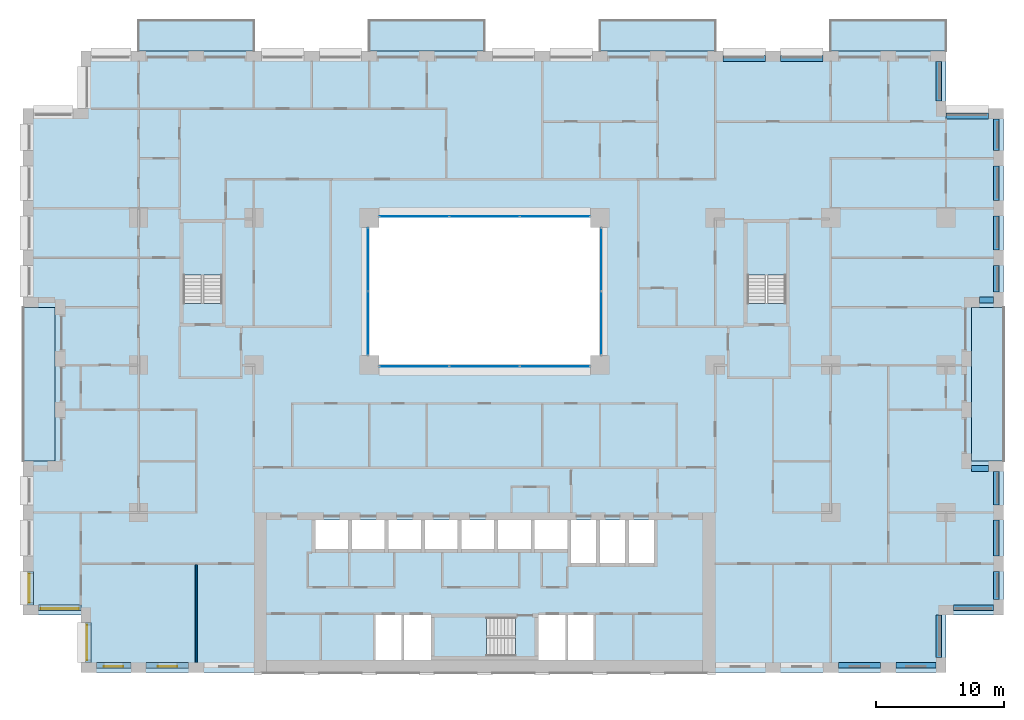
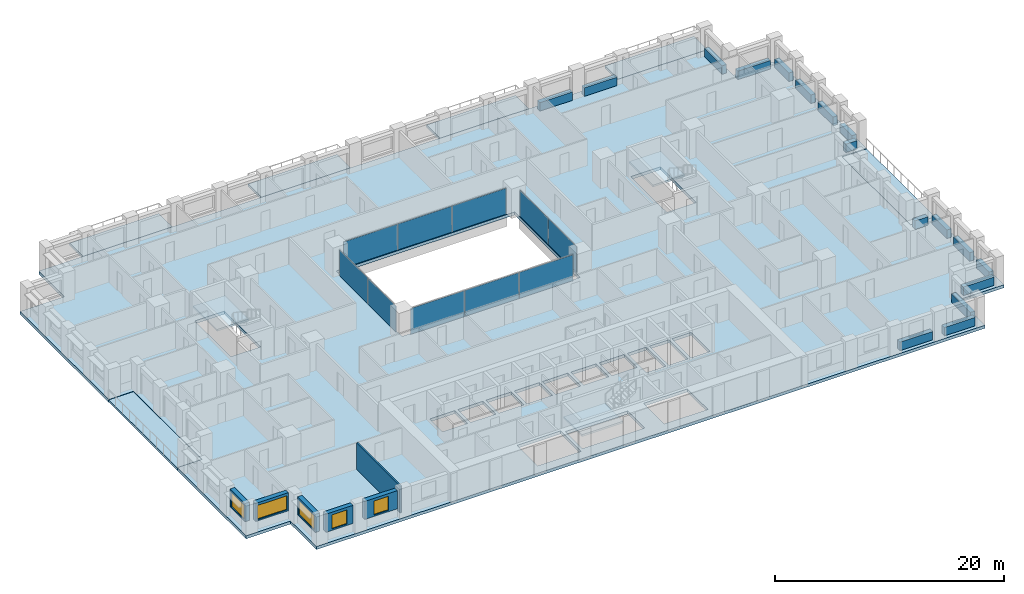
# One storey, part 8 of 20: 17 beams, 10 plates, 10 slabs, 6 walls, 5 windows, 5 openings, 7 elements without a shape of their own.
"""IFC4 building model written with IfcOpenShell, lengths in metres."""

from ifc_helpers import new_model, si_unit, direction, frame, frame_2d, origin, origin_2d, place, context, subcontext, project, spatial, polyline, rectangle, outline, extrude, material, layer, layer_set, material_profile, profile_set, type_object, element, fill, aggregate, save


model = new_model("IFC4")

# Units and contexts
model_context = context("Model", 3, precision=1e-05, world=origin(), true_north=direction((0.0, 1.0)))
body_context = subcontext(model_context, "Body", "Model", "MODEL_VIEW")
ifc_project = project(units=[si_unit("LENGTHUNIT", "METRE"), si_unit("AREAUNIT", "SQUARE_METRE"), si_unit("VOLUMEUNIT", "CUBIC_METRE"), si_unit("PLANEANGLEUNIT", "RADIAN"), si_unit("MASSUNIT", "GRAM", prefix="KILO")], contexts=[model_context])

# Site, building, storey
site_placement = place(None, origin())
site = spatial("IfcSite", under=ifc_project, at=site_placement, CompositionType="ELEMENT")
building_placement = place(site_placement, origin())
building = spatial("IfcBuilding", under=site, at=building_placement, Name="Brigalow Station Residences", CompositionType="ELEMENT")
storey_placement = place(building_placement, frame((0.0, 0.0, 38.39990234375)))
storey = spatial("IfcBuildingStorey", under=building, at=storey_placement, Name="L10", CompositionType="ELEMENT", Elevation=38.39990234375)

# Beams
ifc_material_1 = material(Name="Concrete C65", Category="concrete")
ifc_material_profile = material_profile(ifc_material_1, rectangle(XDim=0.449951171875, YDim=0.89990234375, at=origin_2d()), Name="RC450x900")
ifc_profile_set = profile_set([ifc_material_profile], Name="Concrete C65")
beam_type = type_object("IfcBeamType", Name="SPANDREL BEAM 450x900 C65", PredefinedType="SPANDREL", material=ifc_profile_set)
beam_1_placement = place(storey_placement, frame((63.60009765625, 0.574951171875, 0.4501953125), z_axis=(1.0, 0.0, 0.0), x_axis=(0.0, 1.0, 0.0)))
element("IfcBeam", 1, at=beam_1_placement, inside=storey, type_object=beam_type, Name="L10/spandrel/W-L10-7", PredefinedType="SPANDREL", context=body_context, shape_type="SweptSolid", body=[
    extrude(rectangle(XDim=0.449951171875, YDim=0.89990234375, at=origin_2d()), origin(), (0.0, 0.0, 1.0), 3.2998046875),
])
beam_2_placement = place(storey_placement, frame((68.10009765625, 0.574951171875, 0.4501953125), z_axis=(1.0, 0.0, 0.0), x_axis=(0.0, 1.0, 0.0)))
element("IfcBeam", 2, at=beam_2_placement, inside=storey, type_object=beam_type, Name="L10/spandrel/W-L10-8", PredefinedType="SPANDREL", context=body_context, shape_type="SweptSolid", body=[
    extrude(rectangle(XDim=0.449951171875, YDim=0.89990234375, at=origin_2d()), origin(), (0.0, 0.0, 1.0), 3.099853515625),
])
beam_3_placement = place(storey_placement, frame((71.425048828125, 1.199951171875, 0.4501953125), z_axis=(0.0, 1.0, 0.0), x_axis=(-1.0, 0.0, 0.0)))
element("IfcBeam", 3, at=beam_3_placement, inside=storey, type_object=beam_type, Name="L10/spandrel/W-L10-9", PredefinedType="SPANDREL", context=body_context, shape_type="SweptSolid", body=[
    extrude(rectangle(XDim=0.449951171875, YDim=0.89990234375, at=origin_2d()), origin(), (0.0, 0.0, 1.0), 3.300048828125),
])
beam_4_placement = place(storey_placement, frame((72.60009765625, 5.074951171875, 0.4501953125), z_axis=(1.0, 0.0, 0.0), x_axis=(0.0, 1.0, 0.0)))
element("IfcBeam", 4, at=beam_4_placement, inside=storey, type_object=beam_type, Name="L10/spandrel/W-L10-10", PredefinedType="SPANDREL", context=body_context, shape_type="SweptSolid", body=[
    extrude(rectangle(XDim=0.449951171875, YDim=0.89990234375, at=origin_2d()), origin(), (0.0, 0.0, 1.0), 3.099853515625),
])
beam_5_placement = place(storey_placement, frame((75.925048828125, 5.699951171875, 0.4501953125), z_axis=(0.0, 1.0, 0.0), x_axis=(-1.0, 0.0, 0.0)))
element("IfcBeam", 5, at=beam_5_placement, inside=storey, type_object=beam_type, Name="L10/spandrel/W-L10-11", PredefinedType="SPANDREL", context=body_context, shape_type="SweptSolid", body=[
    extrude(rectangle(XDim=0.449951171875, YDim=0.89990234375, at=origin_2d()), origin(), (0.0, 0.0, 1.0), 2.199951171875),
])
beam_6_placement = place(storey_placement, frame((75.925048828125, 9.10009765625, 0.4501953125), z_axis=(0.0, 1.0, 0.0), x_axis=(-1.0, 0.0, 0.0)))
element("IfcBeam", 6, at=beam_6_placement, inside=storey, type_object=beam_type, Name="L10/spandrel/W-L10-12", PredefinedType="SPANDREL", context=body_context, shape_type="SweptSolid", body=[
    extrude(rectangle(XDim=0.449951171875, YDim=0.89990234375, at=origin_2d()), origin(), (0.0, 0.0, 1.0), 2.7998046875),
])
beam_7_placement = place(storey_placement, frame((75.925048828125, 13.10009765625, 0.4501953125), z_axis=(0.0, 1.0, 0.0), x_axis=(-1.0, 0.0, 0.0)))
element("IfcBeam", 7, at=beam_7_placement, inside=storey, type_object=beam_type, Name="L10/spandrel/W-L10-13", PredefinedType="SPANDREL", context=body_context, shape_type="SweptSolid", body=[
    extrude(rectangle(XDim=0.449951171875, YDim=0.89990234375, at=origin_2d()), origin(), (0.0, 0.0, 1.0), 2.599853515625),
])
beam_8_placement = place(storey_placement, frame((75.300048828125, 15.925048828125, 0.4501953125), z_axis=(-1.0, 0.0, 0.0), x_axis=(0.0, -1.0, 0.0)))
element("IfcBeam", 8, at=beam_8_placement, inside=storey, type_object=beam_type, Name="L10/spandrel/W-L10-14", PredefinedType="SPANDREL", context=body_context, shape_type="SweptSolid", body=[
    extrude(rectangle(XDim=0.449951171875, YDim=0.89990234375, at=origin_2d()), origin(), (0.0, 0.0, 1.0), 1.300048828125),
])
beam_9_placement = place(storey_placement, frame((74.60009765625, 29.074951171875, 0.4501953125), z_axis=(1.0, 0.0, 0.0), x_axis=(0.0, 1.0, 0.0)))
element("IfcBeam", 9, at=beam_9_placement, inside=storey, type_object=beam_type, Name="L10/spandrel/W-L10-18", PredefinedType="SPANDREL", context=body_context, shape_type="SweptSolid", body=[
    extrude(rectangle(XDim=0.449951171875, YDim=0.89990234375, at=origin_2d()), origin(), (0.0, 0.0, 1.0), 1.099853515625),
])
beam_10_placement = place(storey_placement, frame((75.925048828125, 29.699951171875, 0.4501953125), z_axis=(0.0, 1.0, 0.0), x_axis=(-1.0, 0.0, 0.0)))
element("IfcBeam", 10, at=beam_10_placement, inside=storey, type_object=beam_type, Name="L10/spandrel/W-L10-19", PredefinedType="SPANDREL", context=body_context, shape_type="SweptSolid", body=[
    extrude(rectangle(XDim=0.449951171875, YDim=0.89990234375, at=origin_2d()), origin(), (0.0, 0.0, 1.0), 2.074951171875),
])
for number, where, z_axis, x_axis, name in (
    (11, (75.925048828125, 32.97509765625, 0.4501953125), (0.0, 1.0, 0.0), (-1.0, 0.0, 0.0), "L10/spandrel/W-L10-20"),
    (12, (75.925048828125, 36.85009765625, 0.4501953125), (0.0, 1.0, 0.0), (-1.0, 0.0, 0.0), "L10/spandrel/W-L10-21"),
):
    element("IfcBeam", number, at=place(storey_placement, frame(where, z_axis=z_axis, x_axis=x_axis)), inside=storey, type_object=beam_type, Name=name, PredefinedType="SPANDREL", context=body_context, shape_type="SweptSolid", body=[
        extrude(rectangle(XDim=0.449951171875, YDim=0.89990234375, at=origin_2d()), origin(), (0.0, 0.0, 1.0), 2.6748046875),
    ])
beam_11_placement = place(storey_placement, frame((75.925048828125, 40.72509765625, 0.4501953125), z_axis=(0.0, 1.0, 0.0), x_axis=(-1.0, 0.0, 0.0)))
element("IfcBeam", 13, at=beam_11_placement, inside=storey, type_object=beam_type, Name="L10/spandrel/W-L10-22", PredefinedType="SPANDREL", context=body_context, shape_type="SweptSolid", body=[
    extrude(rectangle(XDim=0.449951171875, YDim=0.89990234375, at=origin_2d()), origin(), (0.0, 0.0, 1.0), 2.474853515625),
])
beam_12_placement = place(storey_placement, frame((75.300048828125, 43.425048828125, 0.4501953125), z_axis=(-1.0, 0.0, 0.0), x_axis=(0.0, -1.0, 0.0)))
element("IfcBeam", 14, at=beam_12_placement, inside=storey, type_object=beam_type, Name="L10/spandrel/W-L10-23", PredefinedType="SPANDREL", context=body_context, shape_type="SweptSolid", body=[
    extrude(rectangle(XDim=0.449951171875, YDim=0.89990234375, at=origin_2d()), origin(), (0.0, 0.0, 1.0), 3.300048828125),
])
beam_13_placement = place(storey_placement, frame((71.425048828125, 44.60009765625, 0.4501953125), z_axis=(0.0, 1.0, 0.0), x_axis=(-1.0, 0.0, 0.0)))
element("IfcBeam", 15, at=beam_13_placement, inside=storey, type_object=beam_type, Name="L10/spandrel/W-L10-24", PredefinedType="SPANDREL", context=body_context, shape_type="SweptSolid", body=[
    extrude(rectangle(XDim=0.449951171875, YDim=0.89990234375, at=origin_2d()), origin(), (0.0, 0.0, 1.0), 3.099853515625),
])
for number, where, z_axis, x_axis, name in (
    (16, (62.39990234375, 47.925048828125, 0.4501953125), (-1.0, 0.0, 0.0), (0.0, -1.0, 0.0), "L10/spandrel/W-L10-27"),
    (17, (57.89990234375, 47.925048828125, 0.4501953125), (-1.0, 0.0, 0.0), (0.0, -1.0, 0.0), "L10/spandrel/W-L10-28"),
):
    element("IfcBeam", number, at=place(storey_placement, frame(where, z_axis=z_axis, x_axis=x_axis)), inside=storey, type_object=beam_type, Name=name, PredefinedType="SPANDREL", context=body_context, shape_type="SweptSolid", body=[
        extrude(rectangle(XDim=0.449951171875, YDim=0.89990234375, at=origin_2d()), origin(), (0.0, 0.0, 1.0), 3.2998046875),
    ])

# Curtain wall, plates
ifc_material_2 = material(Name="Aluminium", Category="aluminium")
ifc_layer_1 = layer(ifc_material_2, 0.14990234375)
ifc_layer_set_1 = layer_set([ifc_layer_1], Name="ATRIUM FIRE-RATED GLAZING CURTAIN WALL")
curtain_wall_type = type_object("IfcCurtainWallType", Name="ATRIUM FIRE-RATED GLAZING CURTAIN WALL", PredefinedType="NOTDEFINED", material=ifc_layer_set_1)
curtain_wall_1_placement = place(storey_placement, origin())
curtain_wall_1 = element("IfcCurtainWall", 18, at=curtain_wall_1_placement, inside=storey, type_object=curtain_wall_type, Name="L10/cw/atrium-S", PredefinedType="NOTDEFINED")
ifc_material_3 = material(Name="Fire-resisting laminated glazing, FRL -/60/-", Category="glass")
ifc_layer_2 = layer(ifc_material_3, 0.031982421875)
ifc_layer_set_2 = layer_set([ifc_layer_2], Name="ATRIUM FIRE-RATED GLAZING PANEL 32")
plate_type = type_object("IfcPlateType", Name="ATRIUM FIRE-RATED GLAZING PANEL 32", PredefinedType="CURTAIN_PANEL", material=ifc_layer_set_2)
plate_1_placement = place(storey_placement, frame((30.514892578125, 23.89990234375, 0.0), z_axis=(0.0, 0.0, 1.0), x_axis=(1.0, 0.0, 0.0)))
plate_1 = element("IfcPlate", 19, at=plate_1_placement, type_object=plate_type, Name="L10/cw/atrium-S/P00-00", PredefinedType="CURTAIN_PANEL", context=body_context, shape_type="SweptSolid", body=[
    extrude(rectangle(XDim=5.409912109375, YDim=0.031982421875, at=origin_2d()), origin(), (0.0, 0.0, 1.0), 2.77001953125),
])
plate_2_placement = place(storey_placement, frame((36.0, 23.89990234375, 0.0), z_axis=(0.0, 0.0, 1.0), x_axis=(1.0, 0.0, 0.0)))
plate_2 = element("IfcPlate", 20, at=plate_2_placement, type_object=plate_type, Name="L10/cw/atrium-S/P01-00", PredefinedType="CURTAIN_PANEL", context=body_context, shape_type="SweptSolid", body=[
    extrude(rectangle(XDim=5.43994140625, YDim=0.031982421875, at=origin_2d()), origin(), (0.0, 0.0, 1.0), 2.77001953125),
])
plate_3_placement = place(storey_placement, frame((41.485107421875, 23.89990234375, 0.0), z_axis=(0.0, 0.0, 1.0), x_axis=(1.0, 0.0, 0.0)))
plate_3 = element("IfcPlate", 21, at=plate_3_placement, type_object=plate_type, Name="L10/cw/atrium-S/P02-00", PredefinedType="CURTAIN_PANEL", context=body_context, shape_type="SweptSolid", body=[
    extrude(rectangle(XDim=5.409912109375, YDim=0.031982421875, at=origin_2d()), origin(), (0.0, 0.0, 1.0), 2.77001953125),
])
aggregate(curtain_wall_1, [plate_1, plate_2, plate_3])

curtain_wall_2_placement = place(storey_placement, origin())
curtain_wall_2 = element("IfcCurtainWall", 22, at=curtain_wall_2_placement, inside=storey, type_object=curtain_wall_type, Name="L10/cw/atrium-E", PredefinedType="NOTDEFINED")
plate_4_placement = place(storey_placement, frame((45.10009765625, 27.264892578125, 0.0), z_axis=(0.0, 0.0, 1.0), x_axis=(0.0, 1.0, 0.0)))
plate_4 = element("IfcPlate", 23, at=plate_4_placement, type_object=plate_type, Name="L10/cw/atrium-E/P00-00", PredefinedType="CURTAIN_PANEL", context=body_context, shape_type="SweptSolid", body=[
    extrude(rectangle(XDim=4.909912109375, YDim=0.031982421875, at=origin_2d()), origin(), (0.0, 0.0, 1.0), 2.77001953125),
])
plate_5_placement = place(storey_placement, frame((45.10009765625, 32.235107421875, 0.0), z_axis=(0.0, 0.0, 1.0), x_axis=(0.0, 1.0, 0.0)))
plate_5 = element("IfcPlate", 24, at=plate_5_placement, type_object=plate_type, Name="L10/cw/atrium-E/P01-00", PredefinedType="CURTAIN_PANEL", context=body_context, shape_type="SweptSolid", body=[
    extrude(rectangle(XDim=4.909912109375, YDim=0.031982421875, at=origin_2d()), origin(), (0.0, 0.0, 1.0), 2.77001953125),
])
aggregate(curtain_wall_2, [plate_4, plate_5])

curtain_wall_3_placement = place(storey_placement, origin())
curtain_wall_3 = element("IfcCurtainWall", 25, at=curtain_wall_3_placement, inside=storey, type_object=curtain_wall_type, Name="L10/cw/atrium-N", PredefinedType="NOTDEFINED")
plate_6_placement = place(storey_placement, frame((41.485107421875, 35.60009765625, 0.0), z_axis=(0.0, 0.0, 1.0), x_axis=(-1.0, 0.0, 0.0)))
plate_6 = element("IfcPlate", 26, at=plate_6_placement, type_object=plate_type, Name="L10/cw/atrium-N/P00-00", PredefinedType="CURTAIN_PANEL", context=body_context, shape_type="SweptSolid", body=[
    extrude(rectangle(XDim=5.409912109375, YDim=0.031982421875, at=origin_2d()), origin(), (0.0, 0.0, 1.0), 2.77001953125),
])
plate_7_placement = place(storey_placement, frame((36.0, 35.60009765625, 0.0), z_axis=(0.0, 0.0, 1.0), x_axis=(-1.0, 0.0, 0.0)))
plate_7 = element("IfcPlate", 27, at=plate_7_placement, type_object=plate_type, Name="L10/cw/atrium-N/P01-00", PredefinedType="CURTAIN_PANEL", context=body_context, shape_type="SweptSolid", body=[
    extrude(rectangle(XDim=5.43994140625, YDim=0.031982421875, at=origin_2d()), origin(), (0.0, 0.0, 1.0), 2.77001953125),
])
plate_8_placement = place(storey_placement, frame((30.514892578125, 35.60009765625, 0.0), z_axis=(0.0, 0.0, 1.0), x_axis=(-1.0, 0.0, 0.0)))
plate_8 = element("IfcPlate", 28, at=plate_8_placement, type_object=plate_type, Name="L10/cw/atrium-N/P02-00", PredefinedType="CURTAIN_PANEL", context=body_context, shape_type="SweptSolid", body=[
    extrude(rectangle(XDim=5.409912109375, YDim=0.031982421875, at=origin_2d()), origin(), (0.0, 0.0, 1.0), 2.77001953125),
])
aggregate(curtain_wall_3, [plate_6, plate_7, plate_8])

curtain_wall_4_placement = place(storey_placement, origin())
curtain_wall_4 = element("IfcCurtainWall", 29, at=curtain_wall_4_placement, inside=storey, type_object=curtain_wall_type, Name="L10/cw/atrium-W", PredefinedType="NOTDEFINED")
plate_9_placement = place(storey_placement, frame((26.89990234375, 32.235107421875, 0.0), z_axis=(0.0, 0.0, 1.0), x_axis=(0.0, -1.0, 0.0)))
plate_9 = element("IfcPlate", 30, at=plate_9_placement, type_object=plate_type, Name="L10/cw/atrium-W/P00-00", PredefinedType="CURTAIN_PANEL", context=body_context, shape_type="SweptSolid", body=[
    extrude(rectangle(XDim=4.909912109375, YDim=0.031982421875, at=origin_2d()), origin(), (0.0, 0.0, 1.0), 2.77001953125),
])
plate_10_placement = place(storey_placement, frame((26.89990234375, 27.264892578125, 0.0), z_axis=(0.0, 0.0, 1.0), x_axis=(0.0, -1.0, 0.0)))
plate_10 = element("IfcPlate", 31, at=plate_10_placement, type_object=plate_type, Name="L10/cw/atrium-W/P01-00", PredefinedType="CURTAIN_PANEL", context=body_context, shape_type="SweptSolid", body=[
    extrude(rectangle(XDim=4.909912109375, YDim=0.031982421875, at=origin_2d()), origin(), (0.0, 0.0, 1.0), 2.77001953125),
])
aggregate(curtain_wall_4, [plate_9, plate_10])

# Slabs
ifc_material_4 = material(Name="Concrete C50 precast", Category="concrete")
ifc_layer_3 = layer(ifc_material_4, 0.25)
ifc_layer_set_3 = layer_set([ifc_layer_3], Name="BALCONY SLAB 250")
slab_type_1 = type_object("IfcSlabType", Name="BALCONY SLAB 250", PredefinedType="USERDEFINED", material=ifc_layer_set_3)
slab_1_placement = place(storey_placement, frame((0.0, 0.0, -0.289794921875)))
element("IfcSlab", 32, at=slab_1_placement, inside=storey, type_object=slab_type_1, Name="L10/balcony/1", ObjectType="BALCONY", PredefinedType="USERDEFINED", context=body_context, shape_type="SweptSolid", body=[
    extrude(outline(polyline([(74.0, 16.5), (76.5, 16.5), (76.5, 28.5), (74.0, 28.5), (74.0, 16.5)])), origin(), (0.0, 0.0, 1.0), 0.25),
])
slab_2_placement = place(storey_placement, frame((0.0, 0.0, -0.289794921875)))
element("IfcSlab", 33, at=slab_2_placement, inside=storey, type_object=slab_type_1, Name="L10/balcony/2", ObjectType="BALCONY", PredefinedType="USERDEFINED", context=body_context, shape_type="SweptSolid", body=[
    extrude(outline(polyline([(72.0, 48.5), (72.0, 50.89990234375), (63.0, 50.89990234375), (63.0, 48.5), (72.0, 48.5)])), origin(), (0.0, 0.0, 1.0), 0.25),
])
slab_3_placement = place(storey_placement, frame((0.0, 0.0, -0.289794921875)))
element("IfcSlab", 34, at=slab_3_placement, inside=storey, type_object=slab_type_1, Name="L10/balcony/3", ObjectType="BALCONY", PredefinedType="USERDEFINED", context=body_context, shape_type="SweptSolid", body=[
    extrude(outline(polyline([(54.0, 48.5), (54.0, 50.89990234375), (45.0, 50.89990234375), (45.0, 48.5), (54.0, 48.5)])), origin(), (0.0, 0.0, 1.0), 0.25),
])
slab_4_placement = place(storey_placement, frame((0.0, 0.0, -0.289794921875)))
element("IfcSlab", 35, at=slab_4_placement, inside=storey, type_object=slab_type_1, Name="L10/balcony/4", ObjectType="BALCONY", PredefinedType="USERDEFINED", context=body_context, shape_type="SweptSolid", body=[
    extrude(outline(polyline([(36.0, 48.5), (36.0, 50.89990234375), (27.0, 50.89990234375), (27.0, 48.5), (36.0, 48.5)])), origin(), (0.0, 0.0, 1.0), 0.25),
])
slab_5_placement = place(storey_placement, frame((0.0, 0.0, -0.289794921875)))
element("IfcSlab", 36, at=slab_5_placement, inside=storey, type_object=slab_type_1, Name="L10/balcony/5", ObjectType="BALCONY", PredefinedType="USERDEFINED", context=body_context, shape_type="SweptSolid", body=[
    extrude(outline(polyline([(18.0, 48.5), (18.0, 50.89990234375), (9.0, 50.89990234375), (9.0, 48.5), (18.0, 48.5)])), origin(), (0.0, 0.0, 1.0), 0.25),
])
slab_6_placement = place(storey_placement, frame((0.0, 0.0, -0.289794921875)))
element("IfcSlab", 37, at=slab_6_placement, inside=storey, type_object=slab_type_1, Name="L10/balcony/6", ObjectType="BALCONY", PredefinedType="USERDEFINED", context=body_context, shape_type="SweptSolid", body=[
    extrude(outline(polyline([(2.5, 28.5), (0.0, 28.5), (0.0, 16.5), (2.5, 16.5), (2.5, 28.5)])), origin(), (0.0, 0.0, 1.0), 0.25),
])
ifc_material_5 = material(Name="Concrete C50", Category="concrete")
ifc_layer_4 = layer(ifc_material_5, 0.320068359375)
ifc_layer_set_4 = layer_set([ifc_layer_4], Name="POST-TENSIONED FLAT PLATE 320 C50")
slab_type_2 = type_object("IfcSlabType", Name="POST-TENSIONED FLAT PLATE 320 C50", PredefinedType="FLOOR", material=ifc_layer_set_4)
slab_7_placement = place(storey_placement, frame((0.0, 0.0, -0.31982421875)))
element("IfcSlab", 38, at=slab_7_placement, inside=storey, type_object=slab_type_2, Name="FLOOR SLAB L10", PredefinedType="FLOOR", context=body_context, shape_type="SweptSolid", body=[
    extrude(outline(polyline([(4.5, 0.0), (72.0, 0.0), (72.0, 4.5), (76.5, 4.5), (76.5, 16.5), (74.0, 16.5), (74.0, 28.5), (76.5, 28.5), (76.5, 44.0), (72.0, 44.0), (72.0, 48.5), (4.5, 48.5), (4.5, 44.0), (0.0, 44.0), (0.0, 28.5), (2.5, 28.5), (2.5, 16.5), (0.0, 16.5), (0.0, 4.5), (4.5, 4.5), (4.5, 0.0)]), holes=[polyline([(15.4951171875, 35.094970703125), (15.4951171875, 28.804931640625), (12.5048828125, 28.804931640625), (12.5048828125, 35.094970703125), (15.4951171875, 35.094970703125)]), polyline([(22.800048828125, 11.89990234375), (25.35009765625, 11.89990234375), (25.35009765625, 9.64990234375), (22.800048828125, 9.64990234375), (22.800048828125, 11.89990234375)]), polyline([(25.64990234375, 11.89990234375), (28.199951171875, 11.89990234375), (28.199951171875, 9.64990234375), (25.64990234375, 9.64990234375), (25.64990234375, 11.89990234375)]), polyline([(28.5, 11.89990234375), (31.050048828125, 11.89990234375), (31.050048828125, 9.64990234375), (28.5, 9.64990234375), (28.5, 11.89990234375)]), polyline([(29.60009765625, 1.0), (27.39990234375, 1.0), (27.39990234375, 4.60009765625), (29.60009765625, 4.60009765625), (31.800048828125, 4.60009765625), (31.800048828125, 1.0), (29.60009765625, 1.0)]), polyline([(31.35009765625, 11.89990234375), (33.89990234375, 11.89990234375), (33.89990234375, 9.64990234375), (31.35009765625, 9.64990234375), (31.35009765625, 11.89990234375)]), polyline([(32.10498046875, 4.294921875), (38.39501953125, 4.294921875), (38.39501953125, 1.304931640625), (32.10498046875, 1.304931640625), (32.10498046875, 4.294921875)]), polyline([(36.75, 11.89990234375), (36.75, 9.64990234375), (34.199951171875, 9.64990234375), (34.199951171875, 11.89990234375), (36.75, 11.89990234375)]), polyline([(37.050048828125, 11.89990234375), (39.60009765625, 11.89990234375), (39.60009765625, 9.64990234375), (37.050048828125, 9.64990234375), (37.050048828125, 11.89990234375)]), polyline([(39.89990234375, 11.89990234375), (42.449951171875, 11.89990234375), (42.449951171875, 9.64990234375), (39.89990234375, 9.64990234375), (39.89990234375, 11.89990234375)]), polyline([(42.39990234375, 1.0), (40.199951171875, 1.0), (40.199951171875, 4.60009765625), (42.39990234375, 4.60009765625), (44.60009765625, 4.60009765625), (44.60009765625, 1.0), (42.39990234375, 1.0)]), polyline([(42.75, 11.89990234375), (44.699951171875, 11.89990234375), (44.699951171875, 8.550048828125), (42.75, 8.550048828125), (42.75, 11.89990234375)]), polyline([(45.0, 11.89990234375), (46.949951171875, 11.89990234375), (46.949951171875, 8.550048828125), (45.0, 8.550048828125), (45.0, 11.89990234375)]), polyline([(45.0, 35.5), (45.0, 24.0), (27.0, 24.0), (27.0, 35.5), (45.0, 35.5)]), polyline([(47.25, 11.89990234375), (49.199951171875, 11.89990234375), (49.199951171875, 8.550048828125), (47.25, 8.550048828125), (47.25, 11.89990234375)]), polyline([(59.4951171875, 35.094970703125), (59.4951171875, 28.804931640625), (56.5048828125, 28.804931640625), (56.5048828125, 35.094970703125), (59.4951171875, 35.094970703125)])]), origin(), (0.0, 0.0, 1.0), 0.31982421875),
])

# Stair, slab
ifc_material_6 = material(Name="Concrete C50", Category="concrete")
stair_type = type_object("IfcStairType", Name="EXIT STAIR 1400 2 FLIGHT", PredefinedType="HALF_TURN_STAIR", material=ifc_material_6)
stair_1_placement = place(storey_placement, origin())
stair_1 = element("IfcStair", 39, at=stair_1_placement, inside=storey, type_object=stair_type, Name="EXIT STAIR S2 L10", PredefinedType="HALF_TURN_STAIR")
ifc_material_7 = material(Name="Concrete C50", Category="concrete")
ifc_layer_5 = layer(ifc_material_7, 0.199951171875)
ifc_layer_set_5 = layer_set([ifc_layer_5], Name="STAIR LANDING 200")
slab_type_3 = type_object("IfcSlabType", Name="STAIR LANDING 200", PredefinedType="LANDING", material=ifc_layer_set_5)
slab_8_placement = place(storey_placement, frame((0.0, 0.0, 1.375)))
slab_8 = element("IfcSlab", 40, at=slab_8_placement, type_object=slab_type_3, Name="ST-2 landing 1", PredefinedType="LANDING", context=body_context, shape_type="SweptSolid", body=[
    extrude(outline(polyline([(32.0, 1.199951171875), (36.159912109375, 1.199951171875), (36.159912109375, 4.39990234375), (32.0, 4.39990234375), (32.0, 1.199951171875)])), origin(), (0.0, 0.0, 1.0), 0.2001953125),
])
aggregate(stair_1, [slab_8])

stair_2_placement = place(storey_placement, origin())
stair_2 = element("IfcStair", 41, at=stair_2_placement, inside=storey, type_object=stair_type, Name="EXIT STAIR S1 L10", PredefinedType="HALF_TURN_STAIR")
slab_9_placement = place(storey_placement, frame((0.0, 0.0, 1.375)))
slab_9 = element("IfcSlab", 42, at=slab_9_placement, type_object=slab_type_3, Name="ST-1 landing 1", PredefinedType="LANDING", context=body_context, shape_type="SweptSolid", body=[
    extrude(outline(polyline([(12.39990234375, 31.0400390625), (15.60009765625, 31.0400390625), (15.60009765625, 35.199951171875), (12.39990234375, 35.199951171875), (12.39990234375, 31.0400390625)])), origin(), (0.0, 0.0, 1.0), 0.2001953125),
])
aggregate(stair_2, [slab_9])

stair_3_placement = place(storey_placement, origin())
stair_3 = element("IfcStair", 43, at=stair_3_placement, inside=storey, type_object=stair_type, Name="EXIT STAIR S3 L10", PredefinedType="HALF_TURN_STAIR")
slab_10_placement = place(storey_placement, frame((0.0, 0.0, 1.375)))
slab_10 = element("IfcSlab", 44, at=slab_10_placement, type_object=slab_type_3, Name="ST-3 landing 1", PredefinedType="LANDING", context=body_context, shape_type="SweptSolid", body=[
    extrude(outline(polyline([(56.39990234375, 31.0400390625), (59.60009765625, 31.0400390625), (59.60009765625, 35.199951171875), (56.39990234375, 35.199951171875), (56.39990234375, 31.0400390625)])), origin(), (0.0, 0.0, 1.0), 0.2001953125),
])
aggregate(stair_3, [slab_10])

# Wall, opening, window
ifc_material_8 = material(Name="Clay brick masonry", Category="masonry")
ifc_layer_6 = layer(ifc_material_8, 0.449951171875)
ifc_layer_set_6 = layer_set([ifc_layer_6], Name="BRICK INFILL WALL 450")
wall_type_1 = type_object("IfcWallType", Name="BRICK INFILL WALL 450", PredefinedType="SOLIDWALL", material=ifc_layer_set_6)
wall_1_placement = place(storey_placement, frame((5.699951171875, 0.574951171875, 0.900146484375), z_axis=(0.0, 0.0, 1.0), x_axis=(1.0, 0.0, 0.0)))
wall_1 = element("IfcWall", 45, at=wall_1_placement, inside=storey, type_object=wall_type_1, Name="L10/ewall/W-L10-1", PredefinedType="SOLIDWALL", context=body_context, shape_type="SweptSolid", body=[
    extrude(rectangle(XDim=2.699951171875, YDim=0.449951171875, at=frame_2d((1.35009765625, 0.0))), origin(), (0.0, 0.0, 1.0), 1.929931640625),
])
opening_1_placement = place(wall_1_placement, frame((0.60009765625, 0.0, 0.14990234375)))
opening_1 = element("IfcOpeningElement", 46, at=opening_1_placement, cuts=wall_1, Name="Opening WT-1", PredefinedType="OPENING", context=body_context, shape_type="SweptSolid", body=[
    extrude(rectangle(XDim=1.5, YDim=1.5, at=frame_2d((0.75, 0.75))), frame((0.0, 0.23486328125, 0.0), z_axis=(0.0, -1.0, 0.0), x_axis=(1.0, 0.0, 0.0)), (0.0, 0.0, 1.0), 0.469970703125),
])
ifc_material_9 = material(Name="Anodised aluminium frame with double glazing", Category="aluminium")
window_type_1 = type_object("IfcWindowType", Name="WINDOW 1500x1500", PartitioningType="SINGLE_PANEL", PredefinedType="WINDOW", material=ifc_material_9)
window_1_placement = place(opening_1_placement, origin())
window_1 = element("IfcWindow", 47, at=window_1_placement, inside=storey, type_object=window_type_1, Name="L10/window/W-L10-1", OverallHeight=1.5, OverallWidth=1.5, PartitioningType="SINGLE_PANEL", PredefinedType="WINDOW", context=body_context, shape_type="SweptSolid", body=[
    extrude(rectangle(XDim=1.5, YDim=1.5, at=frame_2d((0.75, 0.75))), frame((0.0, -0.06494140625, 0.0), z_axis=(0.0, -1.0, 0.0), x_axis=(1.0, 0.0, 0.0)), (0.0, 0.0, 1.0), 0.06005859375),
])
fill(opening_1, window_1)

wall_2_placement = place(storey_placement, frame((9.60009765625, 0.574951171875, 0.900146484375), z_axis=(0.0, 0.0, 1.0), x_axis=(1.0, 0.0, 0.0)))
wall_2 = element("IfcWall", 48, at=wall_2_placement, inside=storey, type_object=wall_type_1, Name="L10/ewall/W-L10-2", PredefinedType="SOLIDWALL", context=body_context, shape_type="SweptSolid", body=[
    extrude(rectangle(XDim=3.2998046875, YDim=0.449951171875, at=frame_2d((1.64990234375, 0.0))), origin(), (0.0, 0.0, 1.0), 1.929931640625),
])
opening_2_placement = place(wall_2_placement, frame((0.89990234375, 0.0, 0.14990234375)))
opening_2 = element("IfcOpeningElement", 49, at=opening_2_placement, cuts=wall_2, Name="Opening WT-1", PredefinedType="OPENING", context=body_context, shape_type="SweptSolid", body=[
    extrude(rectangle(XDim=1.5, YDim=1.5, at=frame_2d((0.75, 0.75))), frame((0.0, 0.23486328125, 0.0), z_axis=(0.0, -1.0, 0.0), x_axis=(1.0, 0.0, 0.0)), (0.0, 0.0, 1.0), 0.469970703125),
])
window_2_placement = place(opening_2_placement, origin())
window_2 = element("IfcWindow", 50, at=window_2_placement, inside=storey, type_object=window_type_1, Name="L10/window/W-L10-2", OverallHeight=1.5, OverallWidth=1.5, PartitioningType="SINGLE_PANEL", PredefinedType="WINDOW", context=body_context, shape_type="SweptSolid", body=[
    extrude(rectangle(XDim=1.5, YDim=1.5, at=frame_2d((0.75, 0.75))), frame((0.0, -0.06494140625, 0.0), z_axis=(0.0, -1.0, 0.0), x_axis=(1.0, 0.0, 0.0)), (0.0, 0.0, 1.0), 0.06005859375),
])
fill(opening_2, window_2)

wall_3_placement = place(storey_placement, frame((0.574951171875, 7.89990234375, 0.900146484375), z_axis=(0.0, 0.0, 1.0), x_axis=(0.0, -1.0, 0.0)))
wall_3 = element("IfcWall", 51, at=wall_3_placement, inside=storey, type_object=wall_type_1, Name="L10/ewall/W-L10-53", PredefinedType="SOLIDWALL", context=body_context, shape_type="SweptSolid", body=[
    extrude(rectangle(XDim=2.599853515625, YDim=0.449951171875, at=frame_2d((1.2998046875, 0.0))), origin(), (0.0, 0.0, 1.0), 1.929931640625),
])
opening_3_placement = place(wall_3_placement, frame((0.175048828125, 0.0, 0.14990234375)))
opening_3 = element("IfcOpeningElement", 52, at=opening_3_placement, cuts=wall_3, Name="Opening WT-6", PredefinedType="OPENING", context=body_context, shape_type="SweptSolid", body=[
    extrude(rectangle(XDim=2.25, YDim=1.5, at=frame_2d((1.125, 0.75))), frame((0.0, 0.23486328125, 0.0), z_axis=(0.0, -1.0, 0.0), x_axis=(1.0, 0.0, 0.0)), (0.0, 0.0, 1.0), 0.469970703125),
])
ifc_material_10 = material(Name="Anodised aluminium frame with double glazing", Category="aluminium")
window_type_2 = type_object("IfcWindowType", Name="WINDOW 2250x1500", PartitioningType="SINGLE_PANEL", PredefinedType="WINDOW", material=ifc_material_10)
window_3_placement = place(opening_3_placement, origin())
window_3 = element("IfcWindow", 53, at=window_3_placement, inside=storey, type_object=window_type_2, Name="L10/window/W-L10-53", OverallHeight=1.5, OverallWidth=2.25, PartitioningType="SINGLE_PANEL", PredefinedType="WINDOW", context=body_context, shape_type="SweptSolid", body=[
    extrude(rectangle(XDim=2.25, YDim=1.5, at=frame_2d((1.125, 0.75))), frame((0.0, -0.06494140625, 0.0), z_axis=(0.0, -1.0, 0.0), x_axis=(1.0, 0.0, 0.0)), (0.0, 0.0, 1.0), 0.06005859375),
])
fill(opening_3, window_3)

wall_4_placement = place(storey_placement, frame((1.199951171875, 5.074951171875, 0.900146484375), z_axis=(0.0, 0.0, 1.0), x_axis=(1.0, 0.0, 0.0)))
wall_4 = element("IfcWall", 54, at=wall_4_placement, inside=storey, type_object=wall_type_1, Name="L10/ewall/W-L10-54", PredefinedType="SOLIDWALL", context=body_context, shape_type="SweptSolid", body=[
    extrude(rectangle(XDim=3.300048828125, YDim=0.449951171875, at=frame_2d((1.64990234375, 0.0))), origin(), (0.0, 0.0, 1.0), 1.929931640625),
])
opening_4_placement = place(wall_4_placement, frame((0.14990234375, 0.0, 0.14990234375)))
opening_4 = element("IfcOpeningElement", 55, at=opening_4_placement, cuts=wall_4, Name="Opening WT-2", PredefinedType="OPENING", context=body_context, shape_type="SweptSolid", body=[
    extrude(rectangle(XDim=3.0, YDim=1.5, at=frame_2d((1.5, 0.75))), frame((0.0, 0.23486328125, 0.0), z_axis=(0.0, -1.0, 0.0), x_axis=(1.0, 0.0, 0.0)), (0.0, 0.0, 1.0), 0.469970703125),
])
ifc_material_11 = material(Name="Anodised aluminium frame with double glazing", Category="aluminium")
window_type_3 = type_object("IfcWindowType", Name="WINDOW 3000x1500", PartitioningType="SINGLE_PANEL", PredefinedType="WINDOW", material=ifc_material_11)
window_4_placement = place(opening_4_placement, origin())
window_4 = element("IfcWindow", 56, at=window_4_placement, inside=storey, type_object=window_type_3, Name="L10/window/W-L10-54", OverallHeight=1.5, OverallWidth=3.0, PartitioningType="SINGLE_PANEL", PredefinedType="WINDOW", context=body_context, shape_type="SweptSolid", body=[
    extrude(rectangle(XDim=3.0, YDim=1.5, at=frame_2d((1.5, 0.75))), frame((0.0, -0.06494140625, 0.0), z_axis=(0.0, -1.0, 0.0), x_axis=(1.0, 0.0, 0.0)), (0.0, 0.0, 1.0), 0.06005859375),
])
fill(opening_4, window_4)

wall_5_placement = place(storey_placement, frame((5.074951171875, 3.89990234375, 0.900146484375), z_axis=(0.0, 0.0, 1.0), x_axis=(0.0, -1.0, 0.0)))
wall_5 = element("IfcWall", 57, at=wall_5_placement, inside=storey, type_object=wall_type_1, Name="L10/ewall/W-L10-55", PredefinedType="SOLIDWALL", context=body_context, shape_type="SweptSolid", body=[
    extrude(rectangle(XDim=3.099853515625, YDim=0.449951171875, at=frame_2d((1.5498046875, 0.0))), origin(), (0.0, 0.0, 1.0), 1.929931640625),
])
opening_5_placement = place(wall_5_placement, frame((0.175048828125, 0.0, 0.14990234375)))
opening_5 = element("IfcOpeningElement", 58, at=opening_5_placement, cuts=wall_5, Name="Opening WT-3", PredefinedType="OPENING", context=body_context, shape_type="SweptSolid", body=[
    extrude(rectangle(XDim=2.75, YDim=1.5, at=frame_2d((1.375, 0.75))), frame((0.0, 0.23486328125, 0.0), z_axis=(0.0, -1.0, 0.0), x_axis=(1.0, 0.0, 0.0)), (0.0, 0.0, 1.0), 0.469970703125),
])
ifc_material_12 = material(Name="Anodised aluminium frame with double glazing", Category="aluminium")
window_type_4 = type_object("IfcWindowType", Name="WINDOW 2750x1500", PartitioningType="SINGLE_PANEL", PredefinedType="WINDOW", material=ifc_material_12)
window_5_placement = place(opening_5_placement, origin())
window_5 = element("IfcWindow", 59, at=window_5_placement, inside=storey, type_object=window_type_4, Name="L10/window/W-L10-55", OverallHeight=1.5, OverallWidth=2.75, PartitioningType="SINGLE_PANEL", PredefinedType="WINDOW", context=body_context, shape_type="SweptSolid", body=[
    extrude(rectangle(XDim=2.75, YDim=1.5, at=frame_2d((1.375, 0.75))), frame((0.0, -0.06494140625, 0.0), z_axis=(0.0, -1.0, 0.0), x_axis=(1.0, 0.0, 0.0)), (0.0, 0.0, 1.0), 0.06005859375),
])
fill(opening_5, window_5)

# Wall
ifc_material_13 = material(Name="Plasterboard on steel stud partition", Category="steel")
ifc_layer_7 = layer(ifc_material_13, 0.14990234375)
ifc_layer_set_7 = layer_set([ifc_layer_7], Name="FLAT PARTITION 150")
wall_type_2 = type_object("IfcWallType", Name="FLAT PARTITION 150", PredefinedType="PARTITIONING", material=ifc_layer_set_7)
wall_6_placement = place(storey_placement, frame((13.5, 0.800048828125, 0.0), z_axis=(0.0, 0.0, 1.0), x_axis=(0.0, 1.0, 0.0)))
element("IfcWall", 60, at=wall_6_placement, inside=storey, type_object=wall_type_2, Name="PW-1C49", PredefinedType="PARTITIONING", context=body_context, shape_type="SweptSolid", body=[
    extrude(rectangle(XDim=7.625, YDim=0.14990234375, at=frame_2d((3.8125, 0.0))), origin(), (0.0, 0.0, 1.0), 2.830078125),
])

save(model, "model.ifc")
